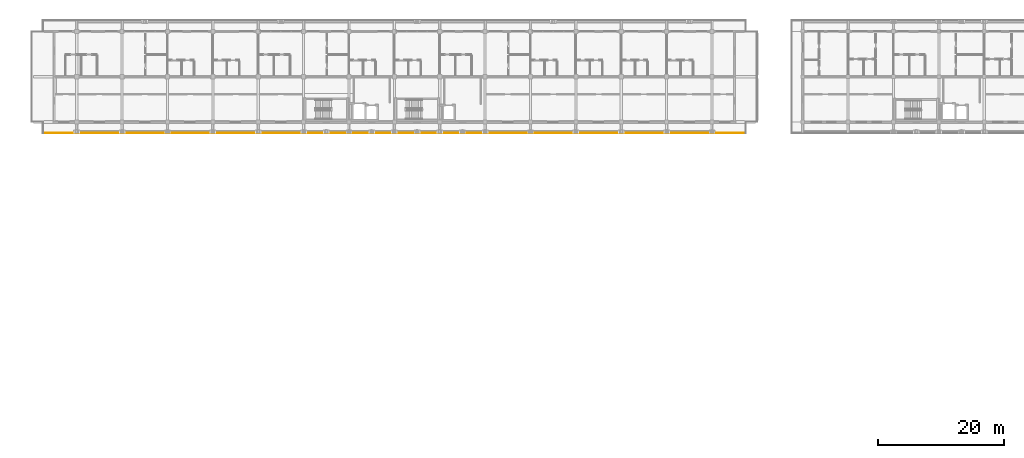
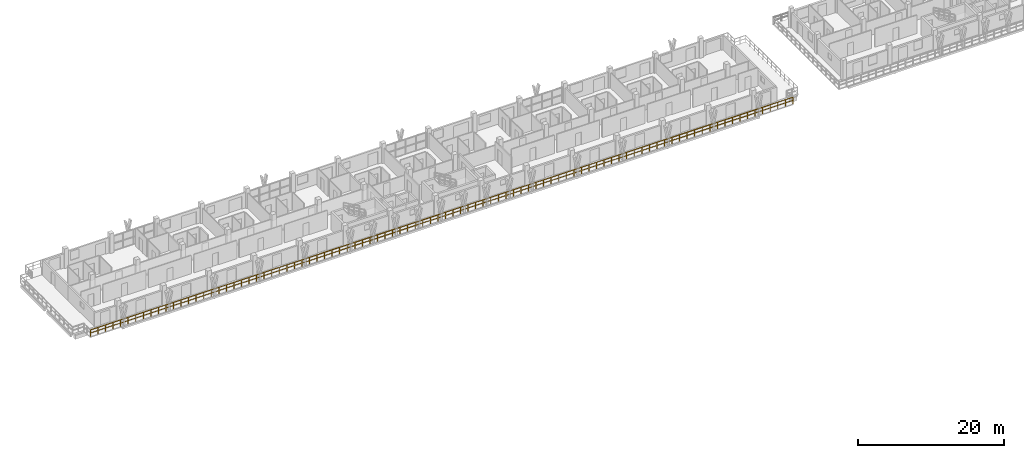
# One storey, part 66 of 75: 1 railing.
"""IFC4 building model written with IfcOpenShell, lengths in metres."""

from ifc_helpers import new_model, si_unit, direction, frame, origin, origin_2d, place, context, subcontext, project, spatial, rectangle, extrude, material, type_object, element, save


model = new_model("IFC4")

# Units and contexts
model_context = context("Model", 3, precision=1e-05, world=origin(), true_north=direction((0.0, 1.0)))
body_context = subcontext(model_context, "Body", "Model", "MODEL_VIEW")
ifc_project = project(units=[si_unit("LENGTHUNIT", "METRE"), si_unit("AREAUNIT", "SQUARE_METRE"), si_unit("VOLUMEUNIT", "CUBIC_METRE"), si_unit("PLANEANGLEUNIT", "RADIAN"), si_unit("MASSUNIT", "GRAM", prefix="KILO")], contexts=[model_context])

# Site, building, storey
site_placement = place(None, origin())
site = spatial("IfcSite", under=ifc_project, at=site_placement, CompositionType="ELEMENT")
building_placement = place(site_placement, origin())
building = spatial("IfcBuilding", under=site, at=building_placement, Name="Suanplinth Sawtooth Commons", CompositionType="ELEMENT")
storey_placement = place(building_placement, frame((0.0, 0.0, 18.60009765625)))
storey = spatial("IfcBuildingStorey", under=building, at=storey_placement, Name="L05", CompositionType="ELEMENT", Elevation=18.60009765625)

# Railing
ifc_material = material(Name="Powder-coated galvanized steel", Category="steel")
railing_type = type_object("IfcRailingType", Name="GR-01", PredefinedType="BALUSTRADE", material=ifc_material)
railing_placement = place(storey_placement, frame((113.340087890625, 106.260009765625, 0.0)))
element("IfcRailing", 1, at=railing_placement, inside=storey, type_object=railing_type, Name="L05 Block A Perimeter Balustrade 11", PredefinedType="BALUSTRADE", context=body_context, shape_type="SweptSolid", body=[
    extrude(rectangle(XDim=0.048095703125, YDim=0.048095703125, at=origin_2d()), frame((0.0, 0.0, 1.09619140625), z_axis=(-1.0, 0.0, 0.0), x_axis=(0.0, -1.0, 0.0)), (0.0, 0.0, 1.0), 111.47998046875),
    extrude(rectangle(XDim=0.03369140625, YDim=0.03369140625, at=origin_2d()), frame((0.0, 0.0, 0.56005859375), z_axis=(-1.0, 0.0, 0.0), x_axis=(0.0, -1.0, 0.0)), (0.0, 0.0, 1.0), 111.47998046875),
    extrude(rectangle(XDim=0.0419921875, YDim=0.0419921875, at=origin_2d()), origin(), (0.0, 0.0, 1.0), 1.072021484375),
    extrude(rectangle(XDim=0.0419921875, YDim=0.0419921875, at=origin_2d()), frame((-1.19873046875, 0.0, 0.0)), (0.0, 0.0, 1.0), 1.072021484375),
    extrude(rectangle(XDim=0.0419921875, YDim=0.0419921875, at=origin_2d()), frame((-2.3974609375, 0.0, 0.0)), (0.0, 0.0, 1.0), 1.072021484375),
    extrude(rectangle(XDim=0.0419921875, YDim=0.0419921875, at=origin_2d()), frame((-3.59619140625, 0.0, 0.0)), (0.0, 0.0, 1.0), 1.072021484375),
    extrude(rectangle(XDim=0.0419921875, YDim=0.0419921875, at=origin_2d()), frame((-4.794921875, 0.0, 0.0)), (0.0, 0.0, 1.0), 1.072021484375),
    extrude(rectangle(XDim=0.0419921875, YDim=0.0419921875, at=origin_2d()), frame((-5.99365234375, 0.0, 0.0)), (0.0, 0.0, 1.0), 1.072021484375),
    extrude(rectangle(XDim=0.0419921875, YDim=0.0419921875, at=origin_2d()), frame((-7.192138671875, 0.0, 0.0)), (0.0, 0.0, 1.0), 1.072021484375),
    extrude(rectangle(XDim=0.0419921875, YDim=0.0419921875, at=origin_2d()), frame((-8.390869140625, 0.0, 0.0)), (0.0, 0.0, 1.0), 1.072021484375),
    extrude(rectangle(XDim=0.0419921875, YDim=0.0419921875, at=origin_2d()), frame((-9.589599609375, 0.0, 0.0)), (0.0, 0.0, 1.0), 1.072021484375),
    extrude(rectangle(XDim=0.0419921875, YDim=0.0419921875, at=origin_2d()), frame((-10.788330078125, 0.0, 0.0)), (0.0, 0.0, 1.0), 1.072021484375),
    extrude(rectangle(XDim=0.0419921875, YDim=0.0419921875, at=origin_2d()), frame((-11.987060546875, 0.0, 0.0)), (0.0, 0.0, 1.0), 1.072021484375),
    extrude(rectangle(XDim=0.0419921875, YDim=0.0419921875, at=origin_2d()), frame((-13.185791015625, 0.0, 0.0)), (0.0, 0.0, 1.0), 1.072021484375),
    extrude(rectangle(XDim=0.0419921875, YDim=0.0419921875, at=origin_2d()), frame((-14.384521484375, 0.0, 0.0)), (0.0, 0.0, 1.0), 1.072021484375),
    extrude(rectangle(XDim=0.0419921875, YDim=0.0419921875, at=origin_2d()), frame((-15.583251953125, 0.0, 0.0)), (0.0, 0.0, 1.0), 1.072021484375),
    extrude(rectangle(XDim=0.0419921875, YDim=0.0419921875, at=origin_2d()), frame((-16.781982421875, 0.0, 0.0)), (0.0, 0.0, 1.0), 1.072021484375),
    extrude(rectangle(XDim=0.0419921875, YDim=0.0419921875, at=origin_2d()), frame((-17.980712890625, 0.0, 0.0)), (0.0, 0.0, 1.0), 1.072021484375),
    extrude(rectangle(XDim=0.0419921875, YDim=0.0419921875, at=origin_2d()), frame((-19.179443359375, 0.0, 0.0)), (0.0, 0.0, 1.0), 1.072021484375),
    extrude(rectangle(XDim=0.0419921875, YDim=0.0419921875, at=origin_2d()), frame((-20.378173828125, 0.0, 0.0)), (0.0, 0.0, 1.0), 1.072021484375),
    extrude(rectangle(XDim=0.0419921875, YDim=0.0419921875, at=origin_2d()), frame((-21.57666015625, 0.0, 0.0)), (0.0, 0.0, 1.0), 1.072021484375),
    extrude(rectangle(XDim=0.0419921875, YDim=0.0419921875, at=origin_2d()), frame((-22.775390625, 0.0, 0.0)), (0.0, 0.0, 1.0), 1.072021484375),
    extrude(rectangle(XDim=0.0419921875, YDim=0.0419921875, at=origin_2d()), frame((-23.97412109375, 0.0, 0.0)), (0.0, 0.0, 1.0), 1.072021484375),
    extrude(rectangle(XDim=0.0419921875, YDim=0.0419921875, at=origin_2d()), frame((-25.1728515625, 0.0, 0.0)), (0.0, 0.0, 1.0), 1.072021484375),
    extrude(rectangle(XDim=0.0419921875, YDim=0.0419921875, at=origin_2d()), frame((-26.37158203125, 0.0, 0.0)), (0.0, 0.0, 1.0), 1.072021484375),
    extrude(rectangle(XDim=0.0419921875, YDim=0.0419921875, at=origin_2d()), frame((-27.5703125, 0.0, 0.0)), (0.0, 0.0, 1.0), 1.072021484375),
    extrude(rectangle(XDim=0.0419921875, YDim=0.0419921875, at=origin_2d()), frame((-28.76904296875, 0.0, 0.0)), (0.0, 0.0, 1.0), 1.072021484375),
    extrude(rectangle(XDim=0.0419921875, YDim=0.0419921875, at=origin_2d()), frame((-29.9677734375, 0.0, 0.0)), (0.0, 0.0, 1.0), 1.072021484375),
    extrude(rectangle(XDim=0.0419921875, YDim=0.0419921875, at=origin_2d()), frame((-31.16650390625, 0.0, 0.0)), (0.0, 0.0, 1.0), 1.072021484375),
    extrude(rectangle(XDim=0.0419921875, YDim=0.0419921875, at=origin_2d()), frame((-32.365234375, 0.0, 0.0)), (0.0, 0.0, 1.0), 1.072021484375),
    extrude(rectangle(XDim=0.0419921875, YDim=0.0419921875, at=origin_2d()), frame((-33.56396484375, 0.0, 0.0)), (0.0, 0.0, 1.0), 1.072021484375),
    extrude(rectangle(XDim=0.0419921875, YDim=0.0419921875, at=origin_2d()), frame((-34.7626953125, 0.0, 0.0)), (0.0, 0.0, 1.0), 1.072021484375),
    extrude(rectangle(XDim=0.0419921875, YDim=0.0419921875, at=origin_2d()), frame((-35.961181640625, 0.0, 0.0)), (0.0, 0.0, 1.0), 1.072021484375),
    extrude(rectangle(XDim=0.0419921875, YDim=0.0419921875, at=origin_2d()), frame((-37.159912109375, 0.0, 0.0)), (0.0, 0.0, 1.0), 1.072021484375),
    extrude(rectangle(XDim=0.0419921875, YDim=0.0419921875, at=origin_2d()), frame((-38.358642578125, 0.0, 0.0)), (0.0, 0.0, 1.0), 1.072021484375),
    extrude(rectangle(XDim=0.0419921875, YDim=0.0419921875, at=origin_2d()), frame((-39.557373046875, 0.0, 0.0)), (0.0, 0.0, 1.0), 1.072021484375),
    extrude(rectangle(XDim=0.0419921875, YDim=0.0419921875, at=origin_2d()), frame((-40.756103515625, 0.0, 0.0)), (0.0, 0.0, 1.0), 1.072021484375),
    extrude(rectangle(XDim=0.0419921875, YDim=0.0419921875, at=origin_2d()), frame((-41.954833984375, 0.0, 0.0)), (0.0, 0.0, 1.0), 1.072021484375),
    extrude(rectangle(XDim=0.0419921875, YDim=0.0419921875, at=origin_2d()), frame((-43.153564453125, 0.0, 0.0)), (0.0, 0.0, 1.0), 1.072021484375),
    extrude(rectangle(XDim=0.0419921875, YDim=0.0419921875, at=origin_2d()), frame((-44.352294921875, 0.0, 0.0)), (0.0, 0.0, 1.0), 1.072021484375),
    extrude(rectangle(XDim=0.0419921875, YDim=0.0419921875, at=origin_2d()), frame((-45.551025390625, 0.0, 0.0)), (0.0, 0.0, 1.0), 1.072021484375),
    extrude(rectangle(XDim=0.0419921875, YDim=0.0419921875, at=origin_2d()), frame((-46.749755859375, 0.0, 0.0)), (0.0, 0.0, 1.0), 1.072021484375),
    extrude(rectangle(XDim=0.0419921875, YDim=0.0419921875, at=origin_2d()), frame((-47.948486328125, 0.0, 0.0)), (0.0, 0.0, 1.0), 1.072021484375),
    extrude(rectangle(XDim=0.0419921875, YDim=0.0419921875, at=origin_2d()), frame((-49.14697265625, 0.0, 0.0)), (0.0, 0.0, 1.0), 1.072021484375),
    extrude(rectangle(XDim=0.0419921875, YDim=0.0419921875, at=origin_2d()), frame((-50.345703125, 0.0, 0.0)), (0.0, 0.0, 1.0), 1.072021484375),
    extrude(rectangle(XDim=0.0419921875, YDim=0.0419921875, at=origin_2d()), frame((-51.54443359375, 0.0, 0.0)), (0.0, 0.0, 1.0), 1.072021484375),
    extrude(rectangle(XDim=0.0419921875, YDim=0.0419921875, at=origin_2d()), frame((-52.7431640625, 0.0, 0.0)), (0.0, 0.0, 1.0), 1.072021484375),
    extrude(rectangle(XDim=0.0419921875, YDim=0.0419921875, at=origin_2d()), frame((-53.94189453125, 0.0, 0.0)), (0.0, 0.0, 1.0), 1.072021484375),
    extrude(rectangle(XDim=0.0419921875, YDim=0.0419921875, at=origin_2d()), frame((-55.140625, 0.0, 0.0)), (0.0, 0.0, 1.0), 1.072021484375),
    extrude(rectangle(XDim=0.0419921875, YDim=0.0419921875, at=origin_2d()), frame((-56.33935546875, 0.0, 0.0)), (0.0, 0.0, 1.0), 1.072021484375),
    extrude(rectangle(XDim=0.0419921875, YDim=0.0419921875, at=origin_2d()), frame((-57.5380859375, 0.0, 0.0)), (0.0, 0.0, 1.0), 1.072021484375),
    extrude(rectangle(XDim=0.0419921875, YDim=0.0419921875, at=origin_2d()), frame((-58.73681640625, 0.0, 0.0)), (0.0, 0.0, 1.0), 1.072021484375),
    extrude(rectangle(XDim=0.0419921875, YDim=0.0419921875, at=origin_2d()), frame((-59.935546875, 0.0, 0.0)), (0.0, 0.0, 1.0), 1.072021484375),
    extrude(rectangle(XDim=0.0419921875, YDim=0.0419921875, at=origin_2d()), frame((-61.13427734375, 0.0, 0.0)), (0.0, 0.0, 1.0), 1.072021484375),
    extrude(rectangle(XDim=0.0419921875, YDim=0.0419921875, at=origin_2d()), frame((-62.3330078125, 0.0, 0.0)), (0.0, 0.0, 1.0), 1.072021484375),
    extrude(rectangle(XDim=0.0419921875, YDim=0.0419921875, at=origin_2d()), frame((-63.531494140625, 0.0, 0.0)), (0.0, 0.0, 1.0), 1.072021484375),
    extrude(rectangle(XDim=0.0419921875, YDim=0.0419921875, at=origin_2d()), frame((-64.730224609375, 0.0, 0.0)), (0.0, 0.0, 1.0), 1.072021484375),
    extrude(rectangle(XDim=0.0419921875, YDim=0.0419921875, at=origin_2d()), frame((-65.928955078125, 0.0, 0.0)), (0.0, 0.0, 1.0), 1.072021484375),
    extrude(rectangle(XDim=0.0419921875, YDim=0.0419921875, at=origin_2d()), frame((-67.127685546875, 0.0, 0.0)), (0.0, 0.0, 1.0), 1.072021484375),
    extrude(rectangle(XDim=0.0419921875, YDim=0.0419921875, at=origin_2d()), frame((-68.326416015625, 0.0, 0.0)), (0.0, 0.0, 1.0), 1.072021484375),
    extrude(rectangle(XDim=0.0419921875, YDim=0.0419921875, at=origin_2d()), frame((-69.525146484375, 0.0, 0.0)), (0.0, 0.0, 1.0), 1.072021484375),
    extrude(rectangle(XDim=0.0419921875, YDim=0.0419921875, at=origin_2d()), frame((-70.723876953125, 0.0, 0.0)), (0.0, 0.0, 1.0), 1.072021484375),
    extrude(rectangle(XDim=0.0419921875, YDim=0.0419921875, at=origin_2d()), frame((-71.922607421875, 0.0, 0.0)), (0.0, 0.0, 1.0), 1.072021484375),
    extrude(rectangle(XDim=0.0419921875, YDim=0.0419921875, at=origin_2d()), frame((-73.121337890625, 0.0, 0.0)), (0.0, 0.0, 1.0), 1.072021484375),
    extrude(rectangle(XDim=0.0419921875, YDim=0.0419921875, at=origin_2d()), frame((-74.320068359375, 0.0, 0.0)), (0.0, 0.0, 1.0), 1.072021484375),
    extrude(rectangle(XDim=0.0419921875, YDim=0.0419921875, at=origin_2d()), frame((-75.518798828125, 0.0, 0.0)), (0.0, 0.0, 1.0), 1.072021484375),
    extrude(rectangle(XDim=0.0419921875, YDim=0.0419921875, at=origin_2d()), frame((-76.71728515625, 0.0, 0.0)), (0.0, 0.0, 1.0), 1.072021484375),
    extrude(rectangle(XDim=0.0419921875, YDim=0.0419921875, at=origin_2d()), frame((-77.916015625, 0.0, 0.0)), (0.0, 0.0, 1.0), 1.072021484375),
    extrude(rectangle(XDim=0.0419921875, YDim=0.0419921875, at=origin_2d()), frame((-79.11474609375, 0.0, 0.0)), (0.0, 0.0, 1.0), 1.072021484375),
    extrude(rectangle(XDim=0.0419921875, YDim=0.0419921875, at=origin_2d()), frame((-80.3134765625, 0.0, 0.0)), (0.0, 0.0, 1.0), 1.072021484375),
    extrude(rectangle(XDim=0.0419921875, YDim=0.0419921875, at=origin_2d()), frame((-81.51220703125, 0.0, 0.0)), (0.0, 0.0, 1.0), 1.072021484375),
    extrude(rectangle(XDim=0.0419921875, YDim=0.0419921875, at=origin_2d()), frame((-82.7109375, 0.0, 0.0)), (0.0, 0.0, 1.0), 1.072021484375),
    extrude(rectangle(XDim=0.0419921875, YDim=0.0419921875, at=origin_2d()), frame((-83.90966796875, 0.0, 0.0)), (0.0, 0.0, 1.0), 1.072021484375),
    extrude(rectangle(XDim=0.0419921875, YDim=0.0419921875, at=origin_2d()), frame((-85.1083984375, 0.0, 0.0)), (0.0, 0.0, 1.0), 1.072021484375),
    extrude(rectangle(XDim=0.0419921875, YDim=0.0419921875, at=origin_2d()), frame((-86.30712890625, 0.0, 0.0)), (0.0, 0.0, 1.0), 1.072021484375),
    extrude(rectangle(XDim=0.0419921875, YDim=0.0419921875, at=origin_2d()), frame((-87.505859375, 0.0, 0.0)), (0.0, 0.0, 1.0), 1.072021484375),
    extrude(rectangle(XDim=0.0419921875, YDim=0.0419921875, at=origin_2d()), frame((-88.70458984375, 0.0, 0.0)), (0.0, 0.0, 1.0), 1.072021484375),
    extrude(rectangle(XDim=0.0419921875, YDim=0.0419921875, at=origin_2d()), frame((-89.9033203125, 0.0, 0.0)), (0.0, 0.0, 1.0), 1.072021484375),
    extrude(rectangle(XDim=0.0419921875, YDim=0.0419921875, at=origin_2d()), frame((-91.101806640625, 0.0, 0.0)), (0.0, 0.0, 1.0), 1.072021484375),
    extrude(rectangle(XDim=0.0419921875, YDim=0.0419921875, at=origin_2d()), frame((-92.300537109375, 0.0, 0.0)), (0.0, 0.0, 1.0), 1.072021484375),
    extrude(rectangle(XDim=0.0419921875, YDim=0.0419921875, at=origin_2d()), frame((-93.499267578125, 0.0, 0.0)), (0.0, 0.0, 1.0), 1.072021484375),
    extrude(rectangle(XDim=0.0419921875, YDim=0.0419921875, at=origin_2d()), frame((-94.697998046875, 0.0, 0.0)), (0.0, 0.0, 1.0), 1.072021484375),
    extrude(rectangle(XDim=0.0419921875, YDim=0.0419921875, at=origin_2d()), frame((-95.896728515625, 0.0, 0.0)), (0.0, 0.0, 1.0), 1.072021484375),
    extrude(rectangle(XDim=0.0419921875, YDim=0.0419921875, at=origin_2d()), frame((-97.095458984375, 0.0, 0.0)), (0.0, 0.0, 1.0), 1.072021484375),
    extrude(rectangle(XDim=0.0419921875, YDim=0.0419921875, at=origin_2d()), frame((-98.294189453125, 0.0, 0.0)), (0.0, 0.0, 1.0), 1.072021484375),
    extrude(rectangle(XDim=0.0419921875, YDim=0.0419921875, at=origin_2d()), frame((-99.492919921875, 0.0, 0.0)), (0.0, 0.0, 1.0), 1.072021484375),
    extrude(rectangle(XDim=0.0419921875, YDim=0.0419921875, at=origin_2d()), frame((-100.691650390625, 0.0, 0.0)), (0.0, 0.0, 1.0), 1.072021484375),
    extrude(rectangle(XDim=0.0419921875, YDim=0.0419921875, at=origin_2d()), frame((-101.890380859375, 0.0, 0.0)), (0.0, 0.0, 1.0), 1.072021484375),
    extrude(rectangle(XDim=0.0419921875, YDim=0.0419921875, at=origin_2d()), frame((-103.089111328125, 0.0, 0.0)), (0.0, 0.0, 1.0), 1.072021484375),
    extrude(rectangle(XDim=0.0419921875, YDim=0.0419921875, at=origin_2d()), frame((-104.287841796875, 0.0, 0.0)), (0.0, 0.0, 1.0), 1.072021484375),
    extrude(rectangle(XDim=0.0419921875, YDim=0.0419921875, at=origin_2d()), frame((-105.486328125, 0.0, 0.0)), (0.0, 0.0, 1.0), 1.072021484375),
    extrude(rectangle(XDim=0.0419921875, YDim=0.0419921875, at=origin_2d()), frame((-106.68505859375, 0.0, 0.0)), (0.0, 0.0, 1.0), 1.072021484375),
    extrude(rectangle(XDim=0.0419921875, YDim=0.0419921875, at=origin_2d()), frame((-107.8837890625, 0.0, 0.0)), (0.0, 0.0, 1.0), 1.072021484375),
    extrude(rectangle(XDim=0.0419921875, YDim=0.0419921875, at=origin_2d()), frame((-109.08251953125, 0.0, 0.0)), (0.0, 0.0, 1.0), 1.072021484375),
    extrude(rectangle(XDim=0.0419921875, YDim=0.0419921875, at=origin_2d()), frame((-110.28125, 0.0, 0.0)), (0.0, 0.0, 1.0), 1.072021484375),
    extrude(rectangle(XDim=0.0419921875, YDim=0.0419921875, at=origin_2d()), frame((-111.47998046875, 0.0, 0.0)), (0.0, 0.0, 1.0), 1.072021484375),
])

save(model, "model.ifc")
